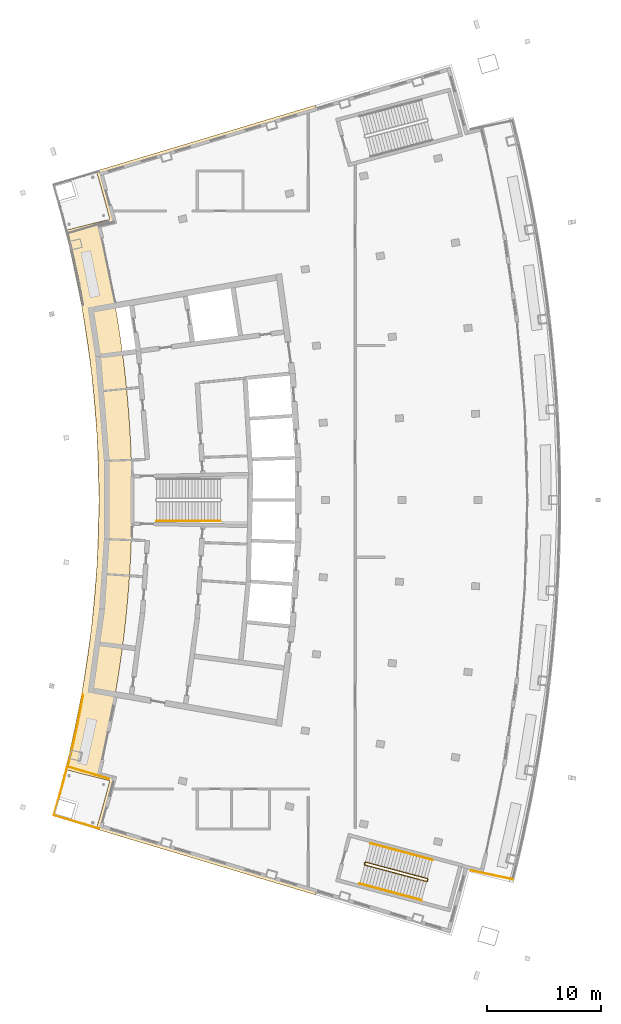
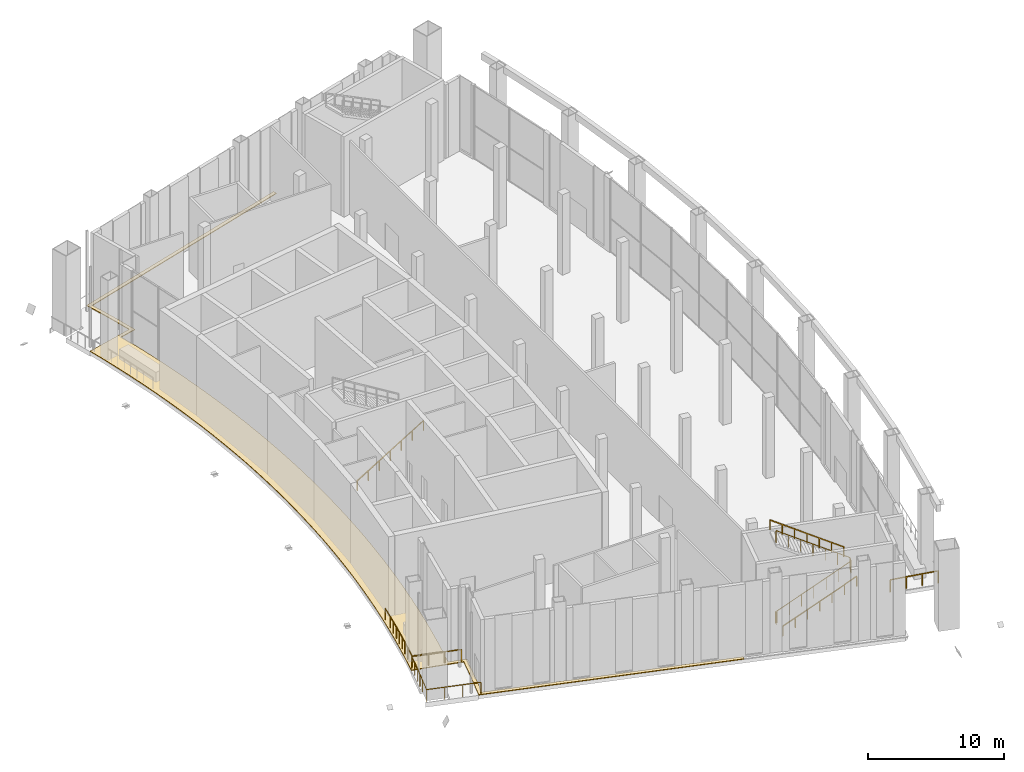
# One storey, part 21 of 25: 8 railings, 1 covering.
"""IFC4 building model written with IfcOpenShell, lengths in metres."""

from ifc_helpers import new_model, si_unit, direction, frame, origin, origin_with_axes, origin_2d, place, context, subcontext, project, spatial, polyline, rectangle, outline, extrude, material, layer, layer_set, type_object, element, save


model = new_model("IFC4")

# Units and contexts
model_context = context("Model", 3, precision=1e-05, world=origin(), true_north=direction((0.0, 1.0)))
body_context = subcontext(model_context, "Body", "Model", "MODEL_VIEW")
ifc_project = project(units=[si_unit("LENGTHUNIT", "METRE"), si_unit("AREAUNIT", "SQUARE_METRE"), si_unit("VOLUMEUNIT", "CUBIC_METRE"), si_unit("PLANEANGLEUNIT", "RADIAN"), si_unit("MASSUNIT", "GRAM", prefix="KILO")], contexts=[model_context])

# Site, building, storey
site_placement = place(None, origin())
site = spatial("IfcSite", under=ifc_project, at=site_placement, CompositionType="ELEMENT")
building_placement = place(site_placement, origin())
building = spatial("IfcBuilding", under=site, at=building_placement, Name="Alderwake Tower", CompositionType="ELEMENT")
storey_placement = place(building_placement, frame((0.0, 0.0, 288.800048828125)))
storey = spatial("IfcBuildingStorey", under=building, at=storey_placement, Name="L72", CompositionType="ELEMENT", Elevation=288.800048828125)

# Railings
ifc_material_1 = material(Name="Stainless steel 316 rail and posts", Category="steel")
railing_type_1 = type_object("IfcRailingType", Name="Balcony guard 1100", PredefinedType="GUARDRAIL", material=ifc_material_1)
railing_1_placement = place(storey_placement, frame((13.210693359375, 37.612548828125, 0.0)))
element("IfcRailing", 1, at=railing_1_placement, inside=storey, type_object=railing_type_1, Name="Guard terrace RS", PredefinedType="GUARDRAIL", context=body_context, shape_type="SweptSolid", body=[
    extrude(rectangle(XDim=0.048095703125, YDim=0.048095703125, at=origin_2d()), frame((0.0, 0.0, 1.076171875), z_axis=(-0.251385381433, -0.967887075026, 0.0), x_axis=(0.967887075026, -0.251385381433, 0.0)), (0.0, 0.0, 1.0), 1.6015625),
    extrude(rectangle(XDim=0.048095703125, YDim=0.048095703125, at=origin_2d()), frame((-0.402587890625, -1.550048828125, 1.076171875), z_axis=(-0.266520638672, -0.963829211615, 0.0), x_axis=(0.963829211615, -0.266520638672, 0.0)), (0.0, 0.0, 1.0), 1.401611328125),
    extrude(rectangle(XDim=0.048095703125, YDim=0.048095703125, at=origin_2d()), frame((-0.776123046875, -2.90087890625, 1.076171875), z_axis=(-0.280093650878, -0.959972680204, 0.0), x_axis=(0.959972680204, -0.280093650878, 0.0)), (0.0, 0.0, 1.0), 1.30126953125),
    extrude(rectangle(XDim=0.048095703125, YDim=0.048095703125, at=origin_2d()), frame((-1.140625, -4.150146484375, 1.076171875), z_axis=(0.958066871889, -0.286544706789, 0.0), x_axis=(0.286544706789, 0.958066871889, 0.0)), (0.0, 0.0, 1.0), 4.099853515625),
    extrude(rectangle(XDim=0.0419921875, YDim=0.0419921875, at=origin_2d()), frame((0.0, 0.0, 0.0), z_axis=(0.0, 0.0, 1.0), x_axis=(-0.251385381433, -0.967887075026, 0.0)), (0.0, 0.0, 1.0), 1.052001953125),
    extrude(rectangle(XDim=0.0419921875, YDim=0.0419921875, at=origin_2d()), frame((-0.201171875, -0.77490234375, 0.0), z_axis=(0.0, 0.0, 1.0), x_axis=(-0.251385381433, -0.967887075026, 0.0)), (0.0, 0.0, 1.0), 1.052001953125),
    extrude(rectangle(XDim=0.0419921875, YDim=0.0419921875, at=origin_2d()), frame((-0.402587890625, -1.550048828125, 0.0), z_axis=(0.0, 0.0, 1.0), x_axis=(-0.266520638672, -0.963829211615, 0.0)), (0.0, 0.0, 1.0), 1.052001953125),
    extrude(rectangle(XDim=0.0419921875, YDim=0.0419921875, at=origin_2d()), frame((-0.58935546875, -2.2255859375, 0.0), z_axis=(0.0, 0.0, 1.0), x_axis=(-0.266520638672, -0.963829211615, 0.0)), (0.0, 0.0, 1.0), 1.052001953125),
    extrude(rectangle(XDim=0.0419921875, YDim=0.0419921875, at=origin_2d()), frame((-0.776123046875, -2.90087890625, 0.0), z_axis=(0.0, 0.0, 1.0), x_axis=(-0.280093650878, -0.959972680204, 0.0)), (0.0, 0.0, 1.0), 1.052001953125),
    extrude(rectangle(XDim=0.0419921875, YDim=0.0419921875, at=origin_2d()), frame((-1.140625, -4.150146484375, 0.0), z_axis=(0.0, 0.0, 1.0), x_axis=(0.958066871889, -0.286544706789, 0.0)), (0.0, 0.0, 1.0), 1.052001953125),
    extrude(rectangle(XDim=0.0419921875, YDim=0.0419921875, at=origin_2d()), frame((0.168701171875, -4.541748046875, 0.0), z_axis=(0.0, 0.0, 1.0), x_axis=(0.958066871889, -0.286544706789, 0.0)), (0.0, 0.0, 1.0), 1.052001953125),
    extrude(rectangle(XDim=0.0419921875, YDim=0.0419921875, at=origin_2d()), frame((1.47802734375, -4.933349609375, 0.0), z_axis=(0.0, 0.0, 1.0), x_axis=(0.958066871889, -0.286544706789, 0.0)), (0.0, 0.0, 1.0), 1.052001953125),
    extrude(rectangle(XDim=0.0419921875, YDim=0.0419921875, at=origin_2d()), frame((2.787353515625, -5.324951171875, 0.0), z_axis=(0.0, 0.0, 1.0), x_axis=(0.958066871889, -0.286544706789, 0.0)), (0.0, 0.0, 1.0), 1.052001953125),
])
railing_2_placement = place(storey_placement, frame((52.15771484375, 27.857177734375, 0.0)))
element("IfcRailing", 2, at=railing_2_placement, inside=storey, type_object=railing_type_1, Name="Guard garden terrace front end", PredefinedType="GUARDRAIL", context=body_context, shape_type="SweptSolid", body=[
    extrude(rectangle(XDim=0.048095703125, YDim=0.048095703125, at=origin_2d()), frame((0.0, 0.0, 1.076171875), z_axis=(-0.978571465615, 0.205907471171, 0.0), x_axis=(-0.205907471171, -0.978571465615, 0.0)), (0.0, 0.0, 1.0), 3.702880859375),
    extrude(rectangle(XDim=0.0419921875, YDim=0.0419921875, at=origin_2d()), frame((0.0, 0.0, 0.0), z_axis=(0.0, 0.0, 1.0), x_axis=(-0.978571465615, 0.205907471171, 0.0)), (0.0, 0.0, 1.0), 1.052001953125),
    extrude(rectangle(XDim=0.0419921875, YDim=0.0419921875, at=origin_2d()), frame((-1.207763671875, 0.254150390625, 0.0), z_axis=(0.0, 0.0, 1.0), x_axis=(-0.978571465615, 0.205907471171, 0.0)), (0.0, 0.0, 1.0), 1.052001953125),
    extrude(rectangle(XDim=0.0419921875, YDim=0.0419921875, at=origin_2d()), frame((-2.415771484375, 0.50830078125, 0.0), z_axis=(0.0, 0.0, 1.0), x_axis=(-0.978571465615, 0.205907471171, 0.0)), (0.0, 0.0, 1.0), 1.052001953125),
    extrude(rectangle(XDim=0.0419921875, YDim=0.0419921875, at=origin_2d()), frame((-3.62353515625, 0.762451171875, 0.0), z_axis=(0.0, 0.0, 1.0), x_axis=(-0.978571465615, 0.205907471171, 0.0)), (0.0, 0.0, 1.0), 1.052001953125),
])
railing_3_placement = place(storey_placement, frame((13.283447265625, 37.697265625, 0.0)))
element("IfcRailing", 3, at=railing_3_placement, inside=storey, type_object=railing_type_1, Name="Guard garden terrace rear", PredefinedType="GUARDRAIL", context=body_context, shape_type="SweptSolid", body=[
    extrude(rectangle(XDim=0.048095703125, YDim=0.048095703125, at=origin_2d()), frame((0.0, 0.0, 1.076171875), z_axis=(0.23679809516, 0.971558882481, 0.0), x_axis=(-0.971558882481, 0.23679809516, 0.0)), (0.0, 0.0, 1.0), 1.10205078125),
    extrude(rectangle(XDim=0.048095703125, YDim=0.048095703125, at=origin_2d()), frame((0.260986328125, 1.07080078125, 1.076171875), z_axis=(0.224096426432, 0.974566976488, 0.0), x_axis=(-0.974566976488, 0.224096426432, 0.0)), (0.0, 0.0, 1.0), 1.402099609375),
    extrude(rectangle(XDim=0.048095703125, YDim=0.048095703125, at=origin_2d()), frame((0.5751953125, 2.437255859375, 1.076171875), z_axis=(0.209957084556, 0.977710602707, 0.0), x_axis=(-0.977710602707, 0.209957084556, 0.0)), (0.0, 0.0, 1.0), 1.40234375),
    extrude(rectangle(XDim=0.048095703125, YDim=0.048095703125, at=origin_2d()), frame((0.86962890625, 3.808349609375, 1.076171875), z_axis=(0.1955468343, 0.980694364007, 0.0), x_axis=(-0.980694364007, 0.1955468343, 0.0)), (0.0, 0.0, 1.0), 1.402099609375),
    extrude(rectangle(XDim=0.048095703125, YDim=0.048095703125, at=origin_2d()), frame((1.143798828125, 5.183349609375, 1.076171875), z_axis=(0.182977626426, 0.983117077579, 0.0), x_axis=(-0.983117077579, 0.182977626426, 0.0)), (0.0, 0.0, 1.0), 1.10205078125),
    extrude(rectangle(XDim=0.0419921875, YDim=0.0419921875, at=origin_2d()), frame((0.0, 0.0, 0.0), z_axis=(0.0, 0.0, 1.0), x_axis=(0.23679809516, 0.971558882481, 0.0)), (0.0, 0.0, 1.0), 1.052001953125),
    extrude(rectangle(XDim=0.0419921875, YDim=0.0419921875, at=origin_2d()), frame((0.260986328125, 1.07080078125, 0.0), z_axis=(0.0, 0.0, 1.0), x_axis=(0.224096426432, 0.974566976488, 0.0)), (0.0, 0.0, 1.0), 1.052001953125),
    extrude(rectangle(XDim=0.0419921875, YDim=0.0419921875, at=origin_2d()), frame((0.41796875, 1.75390625, 0.0), z_axis=(0.0, 0.0, 1.0), x_axis=(0.224096426432, 0.974566976488, 0.0)), (0.0, 0.0, 1.0), 1.052001953125),
    extrude(rectangle(XDim=0.0419921875, YDim=0.0419921875, at=origin_2d()), frame((0.5751953125, 2.437255859375, 0.0), z_axis=(0.0, 0.0, 1.0), x_axis=(0.209957084556, 0.977710602707, 0.0)), (0.0, 0.0, 1.0), 1.052001953125),
    extrude(rectangle(XDim=0.0419921875, YDim=0.0419921875, at=origin_2d()), frame((0.722412109375, 3.122802734375, 0.0), z_axis=(0.0, 0.0, 1.0), x_axis=(0.209957084556, 0.977710602707, 0.0)), (0.0, 0.0, 1.0), 1.052001953125),
    extrude(rectangle(XDim=0.0419921875, YDim=0.0419921875, at=origin_2d()), frame((0.86962890625, 3.808349609375, 0.0), z_axis=(0.0, 0.0, 1.0), x_axis=(0.1955468343, 0.980694364007, 0.0)), (0.0, 0.0, 1.0), 1.052001953125),
    extrude(rectangle(XDim=0.0419921875, YDim=0.0419921875, at=origin_2d()), frame((1.0068359375, 4.495849609375, 0.0), z_axis=(0.0, 0.0, 1.0), x_axis=(0.1955468343, 0.980694364007, 0.0)), (0.0, 0.0, 1.0), 1.052001953125),
    extrude(rectangle(XDim=0.0419921875, YDim=0.0419921875, at=origin_2d()), frame((1.143798828125, 5.183349609375, 0.0), z_axis=(0.0, 0.0, 1.0), x_axis=(0.182977626426, 0.983117077579, 0.0)), (0.0, 0.0, 1.0), 1.052001953125),
    extrude(rectangle(XDim=0.0419921875, YDim=0.0419921875, at=origin_2d()), frame((1.345458984375, 6.266845703125, 0.0), z_axis=(0.0, 0.0, 1.0), x_axis=(0.182977626426, 0.983117077579, 0.0)), (0.0, 0.0, 1.0), 1.052001953125),
])
railing_4_placement = place(storey_placement, frame((13.283447265625, 37.697265625, 0.0)))
element("IfcRailing", 4, at=railing_4_placement, inside=storey, type_object=railing_type_1, Name="Guard garden terrace rear end", PredefinedType="GUARDRAIL", context=body_context, shape_type="SweptSolid", body=[
    extrude(rectangle(XDim=0.048095703125, YDim=0.048095703125, at=origin_2d()), frame((0.0, 0.0, 1.076171875), z_axis=(0.958690974733, -0.284449670355, 0.0), x_axis=(0.284449670355, 0.958690974733, 0.0)), (0.0, 0.0, 1.0), 3.70361328125),
    extrude(rectangle(XDim=0.0419921875, YDim=0.0419921875, at=origin_2d()), frame((0.0, 0.0, 0.0), z_axis=(0.0, 0.0, 1.0), x_axis=(0.958690974733, -0.284449670355, 0.0)), (0.0, 0.0, 1.0), 1.052001953125),
    extrude(rectangle(XDim=0.0419921875, YDim=0.0419921875, at=origin_2d()), frame((1.18359375, -0.35107421875, 0.0), z_axis=(0.0, 0.0, 1.0), x_axis=(0.958690974733, -0.284449670355, 0.0)), (0.0, 0.0, 1.0), 1.052001953125),
    extrude(rectangle(XDim=0.0419921875, YDim=0.0419921875, at=origin_2d()), frame((2.366943359375, -0.702392578125, 0.0), z_axis=(0.0, 0.0, 1.0), x_axis=(0.958690974733, -0.284449670355, 0.0)), (0.0, 0.0, 1.0), 1.052001953125),
    extrude(rectangle(XDim=0.0419921875, YDim=0.0419921875, at=origin_2d()), frame((3.550537109375, -1.053466796875, 0.0), z_axis=(0.0, 0.0, 1.0), x_axis=(0.958690974733, -0.284449670355, 0.0)), (0.0, 0.0, 1.0), 1.052001953125),
])

# Covering
ifc_material_2 = material(Name="Bronze-grey porcelain paving on pedestals")
ifc_layer = layer(ifc_material_2, 0.06005859375)
ifc_layer_set = layer_set([ifc_layer], Name="Garden terrace paving 60")
covering_type = type_object("IfcCoveringType", Name="Garden terrace paving 60", PredefinedType="FLOORING", material=ifc_layer_set)
covering_placement = place(storey_placement, origin())
element("IfcCovering", 5, at=covering_placement, inside=storey, type_object=covering_type, Name="Garden terrace paving rear", PredefinedType="FLOORING", context=body_context, shape_type="SweptSolid", body=[
    extrude(outline(polyline([(14.53369140625, 44.28564453125), (14.280029296875, 42.90869140625), (14.006103515625, 41.535888671875), (13.71240234375, 40.1669921875), (13.3984375, 38.802734375), (13.06494140625, 37.443115234375), (16.942626953125, 36.46142578125), (16.574462890625, 35.05029296875), (16.185791015625, 33.64501953125), (15.776611328125, 32.2451171875), (34.931884765625, 26.494140625), (34.931884765625, 26.494140625), (35.01611328125, 26.781982421875), (16.148193359375, 32.44677734375), (16.474365234375, 33.562744140625), (16.8642578125, 34.97265625), (17.30908203125, 36.67822265625), (15.94775390625, 37.022705078125), (16.219970703125, 38.132080078125), (16.543212890625, 39.537841796875), (16.845947265625, 40.947998046875), (17.1279296875, 42.3623046875), (17.389404296875, 43.78076171875), (17.630126953125, 45.20263671875), (17.85009765625, 46.628173828125), (18.04931640625, 48.056640625), (18.227783203125, 49.48779296875), (18.385009765625, 50.92138671875), (18.521484375, 52.357421875), (18.63720703125, 53.794921875), (18.731689453125, 55.234130859375), (18.805419921875, 56.674560546875), (18.85791015625, 58.11572265625), (18.889404296875, 59.557861328125), (18.89990234375, 61.0), (18.889404296875, 62.442138671875), (18.85791015625, 63.88427734375), (18.805419921875, 65.325439453125), (18.731689453125, 66.765869140625), (18.63720703125, 68.205078125), (18.521484375, 69.642578125), (18.385009765625, 71.07861328125), (18.227783203125, 72.51220703125), (18.04931640625, 73.943359375), (17.85009765625, 75.371826171875), (17.630126953125, 76.79736328125), (17.389404296875, 78.21923828125), (17.1279296875, 79.6376953125), (16.845947265625, 81.052001953125), (16.543212890625, 82.462158203125), (16.219970703125, 83.867919921875), (15.94775390625, 84.977294921875), (17.30908203125, 85.32177734375), (16.8642578125, 87.02734375), (16.474365234375, 88.437255859375), (16.148193359375, 89.55322265625), (35.01611328125, 95.218017578125), (34.931884765625, 95.505859375), (34.931884765625, 95.505859375), (15.776611328125, 89.7548828125), (16.185791015625, 88.35498046875), (16.574462890625, 86.94970703125), (16.942626953125, 85.53857421875), (13.06494140625, 84.556884765625), (13.3984375, 83.197265625), (13.71240234375, 81.8330078125), (14.006103515625, 80.464111328125), (14.280029296875, 79.09130859375), (14.53369140625, 77.71435546875), (14.767333984375, 76.333984375), (14.98095703125, 74.950439453125), (15.17431640625, 73.56396484375), (15.347412109375, 72.174560546875), (15.500244140625, 70.782958984375), (15.6328125, 69.389404296875), (15.744873046875, 67.993896484375), (15.836669921875, 66.5966796875), (15.908203125, 65.19873046875), (15.959228515625, 63.799560546875), (15.98974609375, 62.39990234375), (16.0, 61.0), (15.98974609375, 59.60009765625), (15.959228515625, 58.200439453125), (15.908203125, 56.80126953125), (15.836669921875, 55.4033203125), (15.744873046875, 54.006103515625), (15.6328125, 52.610595703125), (15.500244140625, 51.217041015625), (15.347412109375, 49.825439453125), (15.17431640625, 48.43603515625), (14.98095703125, 47.049560546875), (14.767333984375, 45.666015625), (14.53369140625, 44.28564453125)])), origin(), (0.0, 0.0, 1.0), 0.06005859375),
])

# Railings
ifc_material_3 = material(Name="Stainless steel guard", Category="steel")
railing_type_2 = type_object("IfcRailingType", Name="Stair guard 1100", PredefinedType="GUARDRAIL", material=ifc_material_3)
railing_5_placement = place(storey_placement, frame((39.1943359375, 29.17431640625, 0.0)))
element("IfcRailing", 6, at=railing_5_placement, inside=storey, type_object=railing_type_2, Name="L72 ST-C stair guard 1", PredefinedType="GUARDRAIL", context=body_context, shape_type="SweptSolid", body=[
    extrude(rectangle(XDim=0.048095703125, YDim=0.048095703125, at=origin_2d()), frame((0.0, 0.0, 1.076171875), z_axis=(0.257459803502, 0.966289009345, 0.0), x_axis=(-0.966289009345, 0.257459803502, 0.0)), (0.0, 0.0, 1.0), 0.14990234375),
    extrude(rectangle(XDim=0.048095703125, YDim=0.048095703125, at=origin_2d()), frame((0.03857421875, 0.144775390625, 1.076171875), z_axis=(-0.01184115736, -0.768764370126, 0.639422497427), x_axis=(0.999881397308, -0.015401016783, 0.0)), (0.0, 0.0, 1.0), 0.26806640625),
    extrude(rectangle(XDim=0.048095703125, YDim=0.048095703125, at=origin_2d()), frame((0.035400390625, -0.061279296875, 1.24755859375), z_axis=(0.824125601407, -0.219518951081, 0.522138318094), x_axis=(0.257391295463, 0.966307260151, 0.0)), (0.0, 0.0, 1.0), 6.566162109375),
    extrude(rectangle(XDim=0.048095703125, YDim=0.048095703125, at=origin_2d()), frame((5.44677734375, -1.502685546875, 4.67578125), z_axis=(0.864402767194, 0.502800015978, 0.0), x_axis=(-0.502800015978, 0.864402767194, 0.0)), (0.0, 0.0, 1.0), 0.07080078125),
    extrude(rectangle(XDim=0.048095703125, YDim=0.048095703125, at=origin_2d()), frame((5.508056640625, -1.467041015625, 4.67578125), z_axis=(0.257459803502, 0.966289009345, 0.0), x_axis=(-0.966289009345, 0.257459803502, 0.0)), (0.0, 0.0, 1.0), 0.14990234375),
    extrude(rectangle(XDim=0.048095703125, YDim=0.048095703125, at=origin_2d()), frame((5.546630859375, -1.322265625, 4.67578125), z_axis=(-0.190684685324, 0.330081765629, 0.924491957121), x_axis=(-0.865898279276, -0.500220121494, 0.0)), (0.0, 0.0, 1.0), 0.185546875),
    extrude(rectangle(XDim=0.048095703125, YDim=0.048095703125, at=origin_2d()), frame((5.51123046875, -1.260986328125, 4.84765625), z_axis=(-0.824125601407, 0.219518951081, 0.522138318094), x_axis=(-0.257391295463, -0.966307260151, 0.0)), (0.0, 0.0, 1.0), 6.566162109375),
    extrude(rectangle(XDim=0.0419921875, YDim=0.0419921875, at=origin_2d()), frame((0.0, 0.0, 0.0), z_axis=(0.0, 0.0, 1.0), x_axis=(0.257459803502, 0.966289009345, 0.0)), (0.0, 0.0, 1.0), 1.052001953125),
    extrude(rectangle(XDim=0.0419921875, YDim=0.0419921875, at=origin_2d()), frame((0.03857421875, 0.144775390625, 0.0), z_axis=(0.0, 0.0, 1.0), x_axis=(-0.015401016783, -0.999881397308, 0.0)), (0.0, 0.0, 1.0), 1.052001953125),
    extrude(rectangle(XDim=0.0419921875, YDim=0.0419921875, at=origin_2d()), frame((0.035400390625, -0.061279296875, 0.17138671875), z_axis=(0.0, 0.0, 1.0), x_axis=(0.966307260151, -0.257391295463, 0.0)), (0.0, 0.0, 1.0), 1.052001953125),
    extrude(rectangle(XDim=0.0419921875, YDim=0.0419921875, at=origin_2d()), frame((0.937255859375, -0.301513671875, 0.74267578125), z_axis=(0.0, 0.0, 1.0), x_axis=(0.966307260151, -0.257391295463, 0.0)), (0.0, 0.0, 1.0), 1.052001953125),
    extrude(rectangle(XDim=0.0419921875, YDim=0.0419921875, at=origin_2d()), frame((1.839111328125, -0.541748046875, 1.314208984375), z_axis=(0.0, 0.0, 1.0), x_axis=(0.966307260151, -0.257391295463, 0.0)), (0.0, 0.0, 1.0), 1.052001953125),
    extrude(rectangle(XDim=0.0419921875, YDim=0.0419921875, at=origin_2d()), frame((2.7412109375, -0.781982421875, 1.8857421875), z_axis=(0.0, 0.0, 1.0), x_axis=(0.966307260151, -0.257391295463, 0.0)), (0.0, 0.0, 1.0), 1.052001953125),
    extrude(rectangle(XDim=0.0419921875, YDim=0.0419921875, at=origin_2d()), frame((3.64306640625, -1.022216796875, 2.45703125), z_axis=(0.0, 0.0, 1.0), x_axis=(0.966307260151, -0.257391295463, 0.0)), (0.0, 0.0, 1.0), 1.052001953125),
    extrude(rectangle(XDim=0.0419921875, YDim=0.0419921875, at=origin_2d()), frame((4.544921875, -1.262451171875, 3.0283203125), z_axis=(0.0, 0.0, 1.0), x_axis=(0.966307260151, -0.257391295463, 0.0)), (0.0, 0.0, 1.0), 1.052001953125),
    extrude(rectangle(XDim=0.0419921875, YDim=0.0419921875, at=origin_2d()), frame((5.44677734375, -1.502685546875, 3.599853515625), z_axis=(0.0, 0.0, 1.0), x_axis=(0.864402767194, 0.502800015978, 0.0)), (0.0, 0.0, 1.0), 1.052001953125),
    extrude(rectangle(XDim=0.0419921875, YDim=0.0419921875, at=origin_2d()), frame((5.508056640625, -1.467041015625, 3.599853515625), z_axis=(0.0, 0.0, 1.0), x_axis=(0.257459803502, 0.966289009345, 0.0)), (0.0, 0.0, 1.0), 1.052001953125),
    extrude(rectangle(XDim=0.0419921875, YDim=0.0419921875, at=origin_2d()), frame((5.546630859375, -1.322265625, 3.599853515625), z_axis=(0.0, 0.0, 1.0), x_axis=(-0.500220121494, 0.865898279276, 0.0)), (0.0, 0.0, 1.0), 1.052001953125),
    extrude(rectangle(XDim=0.0419921875, YDim=0.0419921875, at=origin_2d()), frame((5.51123046875, -1.260986328125, 3.771484375), z_axis=(0.0, 0.0, 1.0), x_axis=(-0.966307260151, 0.257391295463, 0.0)), (0.0, 0.0, 1.0), 1.052001953125),
    extrude(rectangle(XDim=0.0419921875, YDim=0.0419921875, at=origin_2d()), frame((4.609375, -1.020751953125, 4.3427734375), z_axis=(0.0, 0.0, 1.0), x_axis=(-0.966307260151, 0.257391295463, 0.0)), (0.0, 0.0, 1.0), 1.052001953125),
    extrude(rectangle(XDim=0.0419921875, YDim=0.0419921875, at=origin_2d()), frame((3.70751953125, -0.780517578125, 4.914306640625), z_axis=(0.0, 0.0, 1.0), x_axis=(-0.966307260151, 0.257391295463, 0.0)), (0.0, 0.0, 1.0), 1.052001953125),
    extrude(rectangle(XDim=0.0419921875, YDim=0.0419921875, at=origin_2d()), frame((2.8056640625, -0.540283203125, 5.48583984375), z_axis=(0.0, 0.0, 1.0), x_axis=(-0.966307260151, 0.257391295463, 0.0)), (0.0, 0.0, 1.0), 1.052001953125),
    extrude(rectangle(XDim=0.0419921875, YDim=0.0419921875, at=origin_2d()), frame((1.903564453125, -0.300048828125, 6.05712890625), z_axis=(0.0, 0.0, 1.0), x_axis=(-0.966307260151, 0.257391295463, 0.0)), (0.0, 0.0, 1.0), 1.052001953125),
    extrude(rectangle(XDim=0.0419921875, YDim=0.0419921875, at=origin_2d()), frame((1.001708984375, -0.059814453125, 6.62841796875), z_axis=(0.0, 0.0, 1.0), x_axis=(-0.966307260151, 0.257391295463, 0.0)), (0.0, 0.0, 1.0), 1.052001953125),
    extrude(rectangle(XDim=0.0419921875, YDim=0.0419921875, at=origin_2d()), frame((0.099853515625, 0.180419921875, 7.199951171875), z_axis=(0.0, 0.0, 1.0), x_axis=(-0.966307260151, 0.257391295463, 0.0)), (0.0, 0.0, 1.0), 1.052001953125),
])
ifc_material_4 = material(Name="Stainless steel handrail", Category="steel")
railing_type_3 = type_object("IfcRailingType", Name="Stair handrail 900", PredefinedType="HANDRAIL", material=ifc_material_4)
railing_6_placement = place(storey_placement, frame((21.0400390625, 59.175048828125, 0.17138671875)))
element("IfcRailing", 7, at=railing_6_placement, inside=storey, type_object=railing_type_3, Name="L72 ST-B stair handrail 1", PredefinedType="HANDRAIL", context=body_context, shape_type="SweptSolid", body=[
    extrude(rectangle(XDim=0.048095703125, YDim=0.048095703125, at=origin_2d()), frame((0.0, 0.0, 0.8759765625), z_axis=(0.852852317832, 0.0, 0.522152203833), x_axis=(0.0, 1.0, 0.0)), (0.0, 0.0, 1.0), 6.56591796875),
    extrude(rectangle(XDim=0.0419921875, YDim=0.0419921875, at=origin_2d()), origin_with_axes(), (0.0, 0.0, 1.0), 0.851806640625),
    extrude(rectangle(XDim=0.0419921875, YDim=0.0419921875, at=origin_2d()), frame((0.933349609375, 0.0, 0.5712890625), z_axis=(0.0, 0.0, 1.0), x_axis=(1.0, 0.0, 0.0)), (0.0, 0.0, 1.0), 0.851806640625),
    extrude(rectangle(XDim=0.0419921875, YDim=0.0419921875, at=origin_2d()), frame((1.86669921875, 0.0, 1.142822265625), z_axis=(0.0, 0.0, 1.0), x_axis=(1.0, 0.0, 0.0)), (0.0, 0.0, 1.0), 0.851806640625),
    extrude(rectangle(XDim=0.0419921875, YDim=0.0419921875, at=origin_2d()), frame((2.7998046875, 0.0, 1.71435546875), z_axis=(0.0, 0.0, 1.0), x_axis=(1.0, 0.0, 0.0)), (0.0, 0.0, 1.0), 0.851806640625),
    extrude(rectangle(XDim=0.0419921875, YDim=0.0419921875, at=origin_2d()), frame((3.733154296875, 0.0, 2.28564453125), z_axis=(0.0, 0.0, 1.0), x_axis=(1.0, 0.0, 0.0)), (0.0, 0.0, 1.0), 0.851806640625),
    extrude(rectangle(XDim=0.0419921875, YDim=0.0419921875, at=origin_2d()), frame((4.66650390625, 0.0, 2.85693359375), z_axis=(0.0, 0.0, 1.0), x_axis=(1.0, 0.0, 0.0)), (0.0, 0.0, 1.0), 0.851806640625),
    extrude(rectangle(XDim=0.0419921875, YDim=0.0419921875, at=origin_2d()), frame((5.599853515625, 0.0, 3.428466796875), z_axis=(0.0, 0.0, 1.0), x_axis=(1.0, 0.0, 0.0)), (0.0, 0.0, 1.0), 0.851806640625),
])
railing_7_placement = place(storey_placement, frame((38.792236328125, 27.47021484375, 0.17138671875)))
element("IfcRailing", 8, at=railing_7_placement, inside=storey, type_object=railing_type_3, Name="L72 ST-C stair handrail 1", PredefinedType="HANDRAIL", context=body_context, shape_type="SweptSolid", body=[
    extrude(rectangle(XDim=0.048095703125, YDim=0.048095703125, at=origin_2d()), frame((0.0, 0.0, 0.8759765625), z_axis=(0.82413232745, -0.219483560972, 0.522142579489), x_axis=(0.257350586944, 0.966318102593, 0.0)), (0.0, 0.0, 1.0), 6.566162109375),
    extrude(rectangle(XDim=0.0419921875, YDim=0.0419921875, at=origin_2d()), frame((0.0, 0.0, 0.0), z_axis=(0.0, 0.0, 1.0), x_axis=(0.966318102593, -0.257350586944, 0.0)), (0.0, 0.0, 1.0), 0.851806640625),
    extrude(rectangle(XDim=0.0419921875, YDim=0.0419921875, at=origin_2d()), frame((0.90185546875, -0.240234375, 0.5712890625), z_axis=(0.0, 0.0, 1.0), x_axis=(0.966318102593, -0.257350586944, 0.0)), (0.0, 0.0, 1.0), 0.851806640625),
    extrude(rectangle(XDim=0.0419921875, YDim=0.0419921875, at=origin_2d()), frame((1.8037109375, -0.48046875, 1.142822265625), z_axis=(0.0, 0.0, 1.0), x_axis=(0.966318102593, -0.257350586944, 0.0)), (0.0, 0.0, 1.0), 0.851806640625),
    extrude(rectangle(XDim=0.0419921875, YDim=0.0419921875, at=origin_2d()), frame((2.70556640625, -0.720703125, 1.71435546875), z_axis=(0.0, 0.0, 1.0), x_axis=(0.966318102593, -0.257350586944, 0.0)), (0.0, 0.0, 1.0), 0.851806640625),
    extrude(rectangle(XDim=0.0419921875, YDim=0.0419921875, at=origin_2d()), frame((3.607666015625, -0.960693359375, 2.28564453125), z_axis=(0.0, 0.0, 1.0), x_axis=(0.966318102593, -0.257350586944, 0.0)), (0.0, 0.0, 1.0), 0.851806640625),
    extrude(rectangle(XDim=0.0419921875, YDim=0.0419921875, at=origin_2d()), frame((4.509521484375, -1.200927734375, 2.85693359375), z_axis=(0.0, 0.0, 1.0), x_axis=(0.966318102593, -0.257350586944, 0.0)), (0.0, 0.0, 1.0), 0.851806640625),
    extrude(rectangle(XDim=0.0419921875, YDim=0.0419921875, at=origin_2d()), frame((5.411376953125, -1.441162109375, 3.428466796875), z_axis=(0.0, 0.0, 1.0), x_axis=(0.966318102593, -0.257350586944, 0.0)), (0.0, 0.0, 1.0), 0.851806640625),
])
railing_8_placement = place(storey_placement, frame((45.14306640625, 29.555908203125, 3.771484375)))
element("IfcRailing", 9, at=railing_8_placement, inside=storey, type_object=railing_type_3, Name="L72 ST-C stair handrail 2", PredefinedType="HANDRAIL", context=body_context, shape_type="SweptSolid", body=[
    extrude(rectangle(XDim=0.048095703125, YDim=0.048095703125, at=origin_2d()), frame((0.0, 0.0, 0.8759765625), z_axis=(-0.824125601407, 0.219518951081, 0.522138318094), x_axis=(-0.257391295463, -0.966307260151, 0.0)), (0.0, 0.0, 1.0), 6.566162109375),
    extrude(rectangle(XDim=0.0419921875, YDim=0.0419921875, at=origin_2d()), frame((0.0, 0.0, 0.0), z_axis=(0.0, 0.0, 1.0), x_axis=(-0.966307260151, 0.257391295463, 0.0)), (0.0, 0.0, 1.0), 0.851806640625),
    extrude(rectangle(XDim=0.0419921875, YDim=0.0419921875, at=origin_2d()), frame((-0.90185546875, 0.240234375, 0.5712890625), z_axis=(0.0, 0.0, 1.0), x_axis=(-0.966307260151, 0.257391295463, 0.0)), (0.0, 0.0, 1.0), 0.851806640625),
    extrude(rectangle(XDim=0.0419921875, YDim=0.0419921875, at=origin_2d()), frame((-1.8037109375, 0.48046875, 1.142822265625), z_axis=(0.0, 0.0, 1.0), x_axis=(-0.966307260151, 0.257391295463, 0.0)), (0.0, 0.0, 1.0), 0.851806640625),
    extrude(rectangle(XDim=0.0419921875, YDim=0.0419921875, at=origin_2d()), frame((-2.70556640625, 0.720703125, 1.71435546875), z_axis=(0.0, 0.0, 1.0), x_axis=(-0.966307260151, 0.257391295463, 0.0)), (0.0, 0.0, 1.0), 0.851806640625),
    extrude(rectangle(XDim=0.0419921875, YDim=0.0419921875, at=origin_2d()), frame((-3.607666015625, 0.9609375, 2.28564453125), z_axis=(0.0, 0.0, 1.0), x_axis=(-0.966307260151, 0.257391295463, 0.0)), (0.0, 0.0, 1.0), 0.851806640625),
    extrude(rectangle(XDim=0.0419921875, YDim=0.0419921875, at=origin_2d()), frame((-4.509521484375, 1.201171875, 2.85693359375), z_axis=(0.0, 0.0, 1.0), x_axis=(-0.966307260151, 0.257391295463, 0.0)), (0.0, 0.0, 1.0), 0.851806640625),
    extrude(rectangle(XDim=0.0419921875, YDim=0.0419921875, at=origin_2d()), frame((-5.411376953125, 1.44140625, 3.428466796875), z_axis=(0.0, 0.0, 1.0), x_axis=(-0.966307260151, 0.257391295463, 0.0)), (0.0, 0.0, 1.0), 0.851806640625),
])

save(model, "model.ifc")
